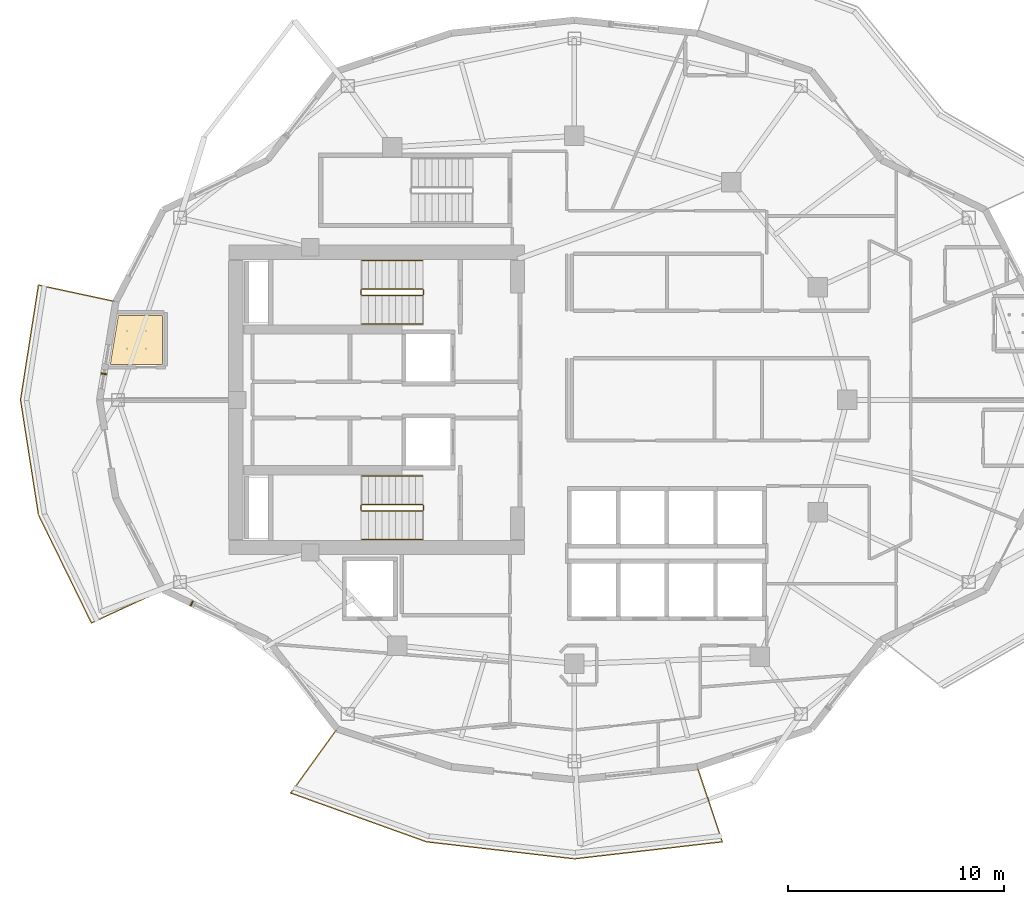
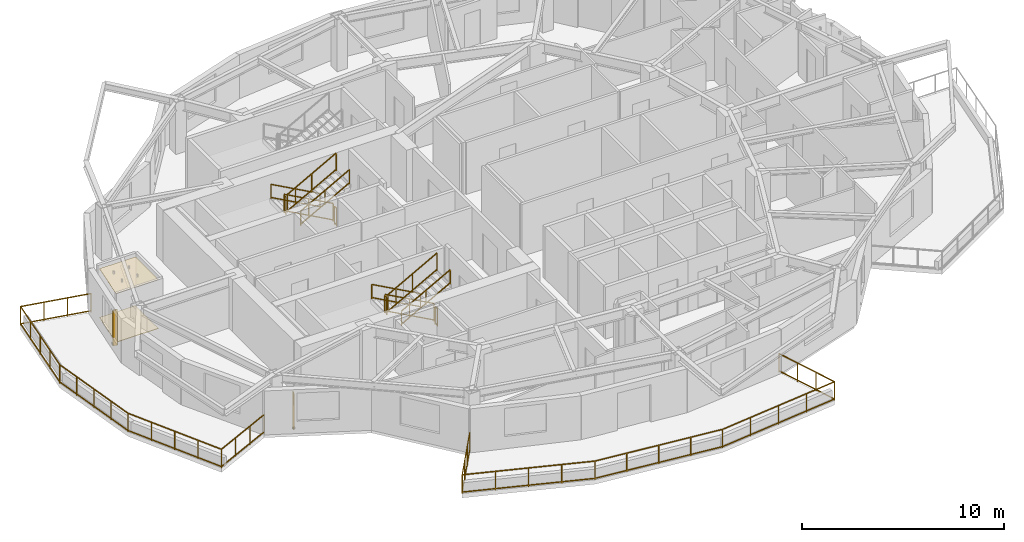
# One storey, part 11 of 13: 14 railings, 2 coverings, 2 shading devices.
"""IFC4 building model written with IfcOpenShell, lengths in metres."""

from ifc_helpers import new_model, si_unit, direction, frame, origin, origin_2d, place, context, subcontext, project, spatial, polyline, rectangle, outline, extrude, material, layer, layer_set, type_object, element, save


model = new_model("IFC4")

# Units and contexts
model_context = context("Model", 3, precision=1e-05, world=origin(), true_north=direction((0.0, 1.0)))
body_context = subcontext(model_context, "Body", "Model", "MODEL_VIEW")
ifc_project = project(units=[si_unit("LENGTHUNIT", "METRE"), si_unit("AREAUNIT", "SQUARE_METRE"), si_unit("VOLUMEUNIT", "CUBIC_METRE"), si_unit("PLANEANGLEUNIT", "RADIAN"), si_unit("MASSUNIT", "GRAM", prefix="KILO")], contexts=[model_context])

# Site, building, storey
site_placement = place(None, origin())
site = spatial("IfcSite", under=ifc_project, at=site_placement, CompositionType="ELEMENT")
building_placement = place(site_placement, origin())
building = spatial("IfcBuilding", under=site, at=building_placement, Name="Kolvaren Gate Tower and Convention Centre", CompositionType="ELEMENT")
storey_placement = place(building_placement, frame((0.0, 0.0, 166.5)))
storey = spatial("IfcBuildingStorey", under=building, at=storey_placement, Name="L43", CompositionType="ELEMENT", Elevation=166.5)

# Coverings
ifc_material_1 = material(Name="Perforated Mineral-Fibre Acoustic Ceiling Tile 18 mm", Category="gypsum")
ifc_layer_1 = layer(ifc_material_1, 0.01806640625)
ifc_layer_set_1 = layer_set([ifc_layer_1], Name="Perforated Mineral-Fibre Acoustic Ceiling Tile 18 mm")
covering_type_1 = type_object("IfcCoveringType", Name="ARCH-COV-CEIL-18", PredefinedType="CEILING", material=ifc_layer_set_1)
covering_1_placement = place(storey_placement, frame((0.0, 0.0, 2.949951171875)))
element("IfcCovering", 1, at=covering_1_placement, inside=storey, type_object=covering_type_1, Name="En-suite Bathroom (HTL-L43-14) Acoustic Suspended Ceiling", PredefinedType="CEILING", context=body_context, shape_type="SweptSolid", body=[
    extrude(outline(polyline([(11.09912109375, 30.909912109375), (11.09912109375, 28.639892578125), (8.679931640625, 28.639892578125), (9.053955078125, 30.909912109375), (11.09912109375, 30.909912109375)])), origin(), (0.0, 0.0, 1.0), 0.01806640625),
])
ifc_material_2 = material(Name="Honed Sabana Limestone Terrazzo Flooring 30 mm", Category="masonry")
ifc_layer_2 = layer(ifc_material_2, 0.030029296875)
ifc_layer_set_2 = layer_set([ifc_layer_2], Name="Honed Sabana Limestone Terrazzo Flooring 30 mm")
covering_type_2 = type_object("IfcCoveringType", Name="ARCH-COV-FLR-30", PredefinedType="FLOORING", material=ifc_layer_set_2)
covering_2_placement = place(storey_placement, origin())
element("IfcCovering", 2, at=covering_2_placement, inside=storey, type_object=covering_type_2, Name="En-suite Bathroom (HTL-L43-14) Interior Finish Flooring", PredefinedType="FLOORING", context=body_context, shape_type="SweptSolid", body=[
    extrude(outline(polyline([(11.09912109375, 30.909912109375), (11.09912109375, 28.639892578125), (8.679931640625, 28.639892578125), (9.053955078125, 30.909912109375), (11.09912109375, 30.909912109375)])), origin(), (0.0, 0.0, 1.0), 0.030029296875),
])

# Railings
ifc_material_3 = material(Name="Brushed Stainless Steel Grade 316L", Category="steel")
railing_type_1 = type_object("IfcRailingType", Name="ARCH-RL-GUARD-1150", PredefinedType="GUARDRAIL", material=ifc_material_3)
railing_1_placement = place(storey_placement, frame((23.10009765625, 32.1298828125, 0.169921875)))
element("IfcRailing", 3, at=railing_1_placement, inside=storey, type_object=railing_type_1, Name="L43 ST-T1 stair guard 1", PredefinedType="GUARDRAIL", context=body_context, shape_type="SweptSolid", body=[
    extrude(rectangle(XDim=0.048095703125, YDim=0.048095703125, at=origin_2d()), frame((0.0, 0.0, 1.076171875), z_axis=(-0.876811365212, 0.0, 0.480834513982), x_axis=(0.0, -1.0, 0.0)), (0.0, 0.0, 1.0), 3.18212890625),
    extrude(rectangle(XDim=0.048095703125, YDim=0.048095703125, at=origin_2d()), frame((0.0, 0.0, 0.083984375), z_axis=(-0.876811365212, 0.0, 0.480834513982), x_axis=(0.0, -1.0, 0.0)), (0.0, 0.0, 1.0), 3.18212890625),
    extrude(rectangle(XDim=0.0419921875, YDim=0.0419921875, at=origin_2d()), origin(), (0.0, 0.0, 1.0), 1.050048828125),
    extrude(rectangle(XDim=0.0419921875, YDim=0.0419921875, at=origin_2d()), frame((-2.7900390625, 0.0, 1.530029296875)), (0.0, 0.0, 1.0), 1.050048828125),
    extrude(rectangle(XDim=0.0419921875, YDim=0.0419921875, at=origin_2d()), frame((-1.39501953125, 0.0, 0.76513671875)), (0.0, 0.0, 1.0), 1.050048828125),
])
railing_2_placement = place(storey_placement, frame((20.260009765625, 32.080078125, 1.699951171875)))
element("IfcRailing", 4, at=railing_2_placement, inside=storey, type_object=railing_type_1, Name="L43 ST-T1 stair guard 2", PredefinedType="GUARDRAIL", context=body_context, shape_type="SweptSolid", body=[
    extrude(rectangle(XDim=0.048095703125, YDim=0.048095703125, at=origin_2d()), frame((0.0, 0.0, 1.076171875), z_axis=(0.0, -1.0, 0.0), x_axis=(1.0, 0.0, 0.0)), (0.0, 0.0, 1.0), 0.2001953125),
    extrude(rectangle(XDim=0.048095703125, YDim=0.048095703125, at=origin_2d()), frame((0.0, 0.0, 0.083984375), z_axis=(0.0, -1.0, 0.0), x_axis=(1.0, 0.0, 0.0)), (0.0, 0.0, 1.0), 0.2001953125),
    extrude(rectangle(XDim=0.0419921875, YDim=0.0419921875, at=origin_2d()), origin(), (0.0, 0.0, 1.0), 1.050048828125),
    extrude(rectangle(XDim=0.0419921875, YDim=0.0419921875, at=origin_2d()), frame((0.0, -0.2001953125, 0.0)), (0.0, 0.0, 1.0), 1.050048828125),
])
railing_3_placement = place(storey_placement, frame((20.31005859375, 31.830078125, 1.8701171875)))
element("IfcRailing", 5, at=railing_3_placement, inside=storey, type_object=railing_type_1, Name="L43 ST-T1 stair guard 3", PredefinedType="GUARDRAIL", context=body_context, shape_type="SweptSolid", body=[
    extrude(rectangle(XDim=0.048095703125, YDim=0.048095703125, at=origin_2d()), frame((0.0, 0.0, 1.076171875), z_axis=(0.876843711699, 0.0, 0.480775524808), x_axis=(0.0, 1.0, 0.0)), (0.0, 0.0, 1.0), 3.181884765625),
    extrude(rectangle(XDim=0.048095703125, YDim=0.048095703125, at=origin_2d()), frame((0.0, 0.0, 0.083984375), z_axis=(0.876843711699, 0.0, 0.480775524808), x_axis=(0.0, 1.0, 0.0)), (0.0, 0.0, 1.0), 3.181884765625),
    extrude(rectangle(XDim=0.0419921875, YDim=0.0419921875, at=origin_2d()), origin(), (0.0, 0.0, 1.0), 1.050048828125),
    extrude(rectangle(XDim=0.0419921875, YDim=0.0419921875, at=origin_2d()), frame((2.7900390625, 0.0, 1.52978515625)), (0.0, 0.0, 1.0), 1.050048828125),
    extrude(rectangle(XDim=0.0419921875, YDim=0.0419921875, at=origin_2d()), frame((1.39501953125, 0.0, 0.764892578125)), (0.0, 0.0, 1.0), 1.050048828125),
])
railing_4_placement = place(storey_placement, frame((23.14990234375, 32.080078125, 0.0)))
element("IfcRailing", 6, at=railing_4_placement, inside=storey, type_object=railing_type_1, Name="L43 ST-T1 stair guard 4", PredefinedType="GUARDRAIL", context=body_context, shape_type="SweptSolid", body=[
    extrude(rectangle(XDim=0.048095703125, YDim=0.048095703125, at=origin_2d()), frame((0.0, 0.0, 1.076171875), z_axis=(0.0, -1.0, 0.0), x_axis=(1.0, 0.0, 0.0)), (0.0, 0.0, 1.0), 0.2001953125),
    extrude(rectangle(XDim=0.048095703125, YDim=0.048095703125, at=origin_2d()), frame((0.0, 0.0, 0.083984375), z_axis=(0.0, -1.0, 0.0), x_axis=(1.0, 0.0, 0.0)), (0.0, 0.0, 1.0), 0.2001953125),
    extrude(rectangle(XDim=0.0419921875, YDim=0.0419921875, at=origin_2d()), origin(), (0.0, 0.0, 1.0), 1.050048828125),
    extrude(rectangle(XDim=0.0419921875, YDim=0.0419921875, at=origin_2d()), frame((0.0, -0.2001953125, 0.0)), (0.0, 0.0, 1.0), 1.050048828125),
])
railing_5_placement = place(storey_placement, frame((23.10009765625, 22.169921875, 0.169921875)))
element("IfcRailing", 7, at=railing_5_placement, inside=storey, type_object=railing_type_1, Name="L43 ST-T2 stair guard 1", PredefinedType="GUARDRAIL", context=body_context, shape_type="SweptSolid", body=[
    extrude(rectangle(XDim=0.048095703125, YDim=0.048095703125, at=origin_2d()), frame((0.0, 0.0, 1.076171875), z_axis=(-0.876811365212, 0.0, 0.480834513982), x_axis=(0.0, -1.0, 0.0)), (0.0, 0.0, 1.0), 3.18212890625),
    extrude(rectangle(XDim=0.048095703125, YDim=0.048095703125, at=origin_2d()), frame((0.0, 0.0, 0.083984375), z_axis=(-0.876811365212, 0.0, 0.480834513982), x_axis=(0.0, -1.0, 0.0)), (0.0, 0.0, 1.0), 3.18212890625),
    extrude(rectangle(XDim=0.0419921875, YDim=0.0419921875, at=origin_2d()), origin(), (0.0, 0.0, 1.0), 1.050048828125),
    extrude(rectangle(XDim=0.0419921875, YDim=0.0419921875, at=origin_2d()), frame((-2.7900390625, 0.0, 1.530029296875)), (0.0, 0.0, 1.0), 1.050048828125),
    extrude(rectangle(XDim=0.0419921875, YDim=0.0419921875, at=origin_2d()), frame((-1.39501953125, 0.0, 0.76513671875)), (0.0, 0.0, 1.0), 1.050048828125),
])
railing_6_placement = place(storey_placement, frame((20.260009765625, 22.1201171875, 1.699951171875)))
element("IfcRailing", 8, at=railing_6_placement, inside=storey, type_object=railing_type_1, Name="L43 ST-T2 stair guard 2", PredefinedType="GUARDRAIL", context=body_context, shape_type="SweptSolid", body=[
    extrude(rectangle(XDim=0.048095703125, YDim=0.048095703125, at=origin_2d()), frame((0.0, 0.0, 1.076171875), z_axis=(0.0, -1.0, 0.0), x_axis=(1.0, 0.0, 0.0)), (0.0, 0.0, 1.0), 0.2001953125),
    extrude(rectangle(XDim=0.048095703125, YDim=0.048095703125, at=origin_2d()), frame((0.0, 0.0, 0.083984375), z_axis=(0.0, -1.0, 0.0), x_axis=(1.0, 0.0, 0.0)), (0.0, 0.0, 1.0), 0.2001953125),
    extrude(rectangle(XDim=0.0419921875, YDim=0.0419921875, at=origin_2d()), origin(), (0.0, 0.0, 1.0), 1.050048828125),
    extrude(rectangle(XDim=0.0419921875, YDim=0.0419921875, at=origin_2d()), frame((0.0, -0.2001953125, 0.0)), (0.0, 0.0, 1.0), 1.050048828125),
])
railing_7_placement = place(storey_placement, frame((20.31005859375, 21.8701171875, 1.8701171875)))
element("IfcRailing", 9, at=railing_7_placement, inside=storey, type_object=railing_type_1, Name="L43 ST-T2 stair guard 3", PredefinedType="GUARDRAIL", context=body_context, shape_type="SweptSolid", body=[
    extrude(rectangle(XDim=0.048095703125, YDim=0.048095703125, at=origin_2d()), frame((0.0, 0.0, 1.076171875), z_axis=(0.876843711699, 0.0, 0.480775524808), x_axis=(0.0, 1.0, 0.0)), (0.0, 0.0, 1.0), 3.181884765625),
    extrude(rectangle(XDim=0.048095703125, YDim=0.048095703125, at=origin_2d()), frame((0.0, 0.0, 0.083984375), z_axis=(0.876843711699, 0.0, 0.480775524808), x_axis=(0.0, 1.0, 0.0)), (0.0, 0.0, 1.0), 3.181884765625),
    extrude(rectangle(XDim=0.0419921875, YDim=0.0419921875, at=origin_2d()), origin(), (0.0, 0.0, 1.0), 1.050048828125),
    extrude(rectangle(XDim=0.0419921875, YDim=0.0419921875, at=origin_2d()), frame((2.7900390625, 0.0, 1.52978515625)), (0.0, 0.0, 1.0), 1.050048828125),
    extrude(rectangle(XDim=0.0419921875, YDim=0.0419921875, at=origin_2d()), frame((1.39501953125, 0.0, 0.764892578125)), (0.0, 0.0, 1.0), 1.050048828125),
])
railing_8_placement = place(storey_placement, frame((23.14990234375, 22.1201171875, 0.0)))
element("IfcRailing", 10, at=railing_8_placement, inside=storey, type_object=railing_type_1, Name="L43 ST-T2 stair guard 4", PredefinedType="GUARDRAIL", context=body_context, shape_type="SweptSolid", body=[
    extrude(rectangle(XDim=0.048095703125, YDim=0.048095703125, at=origin_2d()), frame((0.0, 0.0, 1.076171875), z_axis=(0.0, -1.0, 0.0), x_axis=(1.0, 0.0, 0.0)), (0.0, 0.0, 1.0), 0.2001953125),
    extrude(rectangle(XDim=0.048095703125, YDim=0.048095703125, at=origin_2d()), frame((0.0, 0.0, 0.083984375), z_axis=(0.0, -1.0, 0.0), x_axis=(1.0, 0.0, 0.0)), (0.0, 0.0, 1.0), 0.2001953125),
    extrude(rectangle(XDim=0.0419921875, YDim=0.0419921875, at=origin_2d()), origin(), (0.0, 0.0, 1.0), 1.050048828125),
    extrude(rectangle(XDim=0.0419921875, YDim=0.0419921875, at=origin_2d()), frame((0.0, -0.2001953125, 0.0)), (0.0, 0.0, 1.0), 1.050048828125),
])
railing_9_placement = place(storey_placement, frame((8.93505859375, 31.542236328125, 0.0)))
element("IfcRailing", 11, at=railing_9_placement, inside=storey, type_object=railing_type_1, Name="Tower L43 Terrace Perimeter Guardrail GR-2", PredefinedType="GUARDRAIL", context=body_context, shape_type="SweptSolid", body=[
    extrude(rectangle(XDim=0.048095703125, YDim=0.048095703125, at=origin_2d()), frame((-0.02734375, 0.005859375, 1.1259765625), z_axis=(-0.977791675321, 0.209579196661, 0.0), x_axis=(-0.209579196661, -0.977791675321, 0.0)), (0.0, 0.0, 1.0), 3.60400390625),
    extrude(rectangle(XDim=0.048095703125, YDim=0.048095703125, at=origin_2d()), frame((-0.02734375, 0.005859375, 0.083984375), z_axis=(-0.977791675321, 0.209579196661, 0.0), x_axis=(-0.209579196661, -0.977791675321, 0.0)), (0.0, 0.0, 1.0), 3.60400390625),
    extrude(rectangle(XDim=0.048095703125, YDim=0.048095703125, at=origin_2d()), frame((-3.583251953125, 0.7392578125, 1.1259765625), z_axis=(-0.154200861408, -0.988039520637, 0.0), x_axis=(0.988039520637, -0.154200861408, 0.0)), (0.0, 0.0, 1.0), 5.3173828125),
    extrude(rectangle(XDim=0.048095703125, YDim=0.048095703125, at=origin_2d()), frame((-3.583251953125, 0.7392578125, 0.083984375), z_axis=(-0.154200861408, -0.988039520637, 0.0), x_axis=(0.988039520637, -0.154200861408, 0.0)), (0.0, 0.0, 1.0), 5.3173828125),
    extrude(rectangle(XDim=0.048095703125, YDim=0.048095703125, at=origin_2d()), frame((-4.403076171875, -4.570068359375, 1.1259765625), z_axis=(0.154200861408, -0.988039520637, 0.0), x_axis=(0.988039520637, 0.154200861408, 0.0)), (0.0, 0.0, 1.0), 5.3173828125),
    extrude(rectangle(XDim=0.048095703125, YDim=0.048095703125, at=origin_2d()), frame((-4.403076171875, -4.570068359375, 0.083984375), z_axis=(0.154200861408, -0.988039520637, 0.0), x_axis=(0.988039520637, 0.154200861408, 0.0)), (0.0, 0.0, 1.0), 5.3173828125),
    extrude(rectangle(XDim=0.048095703125, YDim=0.048095703125, at=origin_2d()), frame((-3.56640625, -9.876708984375, 1.1259765625), z_axis=(0.439655234701, -0.898166618507, 0.0), x_axis=(0.898166618507, 0.439655234701, 0.0)), (0.0, 0.0, 1.0), 5.51123046875),
    extrude(rectangle(XDim=0.048095703125, YDim=0.048095703125, at=origin_2d()), frame((-3.56640625, -9.876708984375, 0.083984375), z_axis=(0.439655234701, -0.898166618507, 0.0), x_axis=(0.898166618507, 0.439655234701, 0.0)), (0.0, 0.0, 1.0), 5.51123046875),
    extrude(rectangle(XDim=0.048095703125, YDim=0.048095703125, at=origin_2d()), frame((-1.105712890625, -14.84033203125, 1.1259765625), z_axis=(0.907820723829, 0.419358478377, 0.0), x_axis=(-0.419358478377, 0.907820723829, 0.0)), (0.0, 0.0, 1.0), 3.60400390625),
    extrude(rectangle(XDim=0.048095703125, YDim=0.048095703125, at=origin_2d()), frame((-1.105712890625, -14.84033203125, 0.083984375), z_axis=(0.907820723829, 0.419358478377, 0.0), x_axis=(-0.419358478377, 0.907820723829, 0.0)), (0.0, 0.0, 1.0), 3.60400390625),
    extrude(rectangle(XDim=0.0419921875, YDim=0.0419921875, at=origin_2d()), origin(), (0.0, 0.0, 1.0), 1.14990234375),
    extrude(rectangle(XDim=0.0419921875, YDim=0.0419921875, at=origin_2d()), frame((-3.578857421875, 0.76708984375, 0.0)), (0.0, 0.0, 1.0), 1.14990234375),
    extrude(rectangle(XDim=0.0419921875, YDim=0.0419921875, at=origin_2d()), frame((-1.19287109375, 0.255615234375, 0.0)), (0.0, 0.0, 1.0), 1.099853515625),
    extrude(rectangle(XDim=0.0419921875, YDim=0.0419921875, at=origin_2d()), frame((-2.385986328125, 0.511474609375, 0.0)), (0.0, 0.0, 1.0), 1.099853515625),
    extrude(rectangle(XDim=0.0419921875, YDim=0.0419921875, at=origin_2d()), frame((-4.407470703125, -4.542236328125, 0.0)), (0.0, 0.0, 1.0), 1.14990234375),
    extrude(rectangle(XDim=0.0419921875, YDim=0.0419921875, at=origin_2d()), frame((-3.7861328125, -0.560302734375, 0.0)), (0.0, 0.0, 1.0), 1.099853515625),
    extrude(rectangle(XDim=0.0419921875, YDim=0.0419921875, at=origin_2d()), frame((-3.9931640625, -1.8876953125, 0.0)), (0.0, 0.0, 1.0), 1.099853515625),
    extrude(rectangle(XDim=0.0419921875, YDim=0.0419921875, at=origin_2d()), frame((-4.2001953125, -3.21484375, 0.0)), (0.0, 0.0, 1.0), 1.099853515625),
    extrude(rectangle(XDim=0.0419921875, YDim=0.0419921875, at=origin_2d()), frame((-3.578857421875, -9.8515625, 0.0)), (0.0, 0.0, 1.0), 1.14990234375),
    extrude(rectangle(XDim=0.0419921875, YDim=0.0419921875, at=origin_2d()), frame((-4.2001953125, -5.86962890625, 0.0)), (0.0, 0.0, 1.0), 1.099853515625),
    extrude(rectangle(XDim=0.0419921875, YDim=0.0419921875, at=origin_2d()), frame((-3.9931640625, -7.19677734375, 0.0)), (0.0, 0.0, 1.0), 1.099853515625),
    extrude(rectangle(XDim=0.0419921875, YDim=0.0419921875, at=origin_2d()), frame((-3.7861328125, -8.524169921875, 0.0)), (0.0, 0.0, 1.0), 1.099853515625),
    extrude(rectangle(XDim=0.0419921875, YDim=0.0419921875, at=origin_2d()), frame((-1.131103515625, -14.85205078125, 0.0)), (0.0, 0.0, 1.0), 1.14990234375),
    extrude(rectangle(XDim=0.0419921875, YDim=0.0419921875, at=origin_2d()), frame((-2.966796875, -11.1015625, 0.0)), (0.0, 0.0, 1.0), 1.099853515625),
    extrude(rectangle(XDim=0.0419921875, YDim=0.0419921875, at=origin_2d()), frame((-2.35498046875, -12.351806640625, 0.0)), (0.0, 0.0, 1.0), 1.099853515625),
    extrude(rectangle(XDim=0.0419921875, YDim=0.0419921875, at=origin_2d()), frame((-1.7431640625, -13.60205078125, 0.0)), (0.0, 0.0, 1.0), 1.099853515625),
    extrude(rectangle(XDim=0.0419921875, YDim=0.0419921875, at=origin_2d()), frame((2.191650390625, -13.317138671875, 0.0)), (0.0, 0.0, 1.0), 1.14990234375),
    extrude(rectangle(XDim=0.0419921875, YDim=0.0419921875, at=origin_2d()), frame((-0.0234375, -14.34033203125, 0.0)), (0.0, 0.0, 1.0), 1.099853515625),
    extrude(rectangle(XDim=0.0419921875, YDim=0.0419921875, at=origin_2d()), frame((1.083984375, -13.828857421875, 0.0)), (0.0, 0.0, 1.0), 1.099853515625),
])
railing_10_placement = place(storey_placement, frame((19.15625, 11.80126953125, 0.0)))
element("IfcRailing", 12, at=railing_10_placement, inside=storey, type_object=railing_type_1, Name="Tower L43 Terrace Perimeter Guardrail GR-3", PredefinedType="GUARDRAIL", context=body_context, shape_type="SweptSolid", body=[
    extrude(rectangle(XDim=0.048095703125, YDim=0.048095703125, at=origin_2d()), frame((-0.016357421875, -0.022705078125, 1.1259765625), z_axis=(-0.585212870465, -0.810879705161, 0.0), x_axis=(0.810879705161, -0.585212870465, 0.0)), (0.0, 0.0, 1.0), 3.603759765625),
    extrude(rectangle(XDim=0.048095703125, YDim=0.048095703125, at=origin_2d()), frame((-0.016357421875, -0.022705078125, 0.083984375), z_axis=(-0.585212870465, -0.810879705161, 0.0), x_axis=(0.810879705161, -0.585212870465, 0.0)), (0.0, 0.0, 1.0), 3.603759765625),
    extrude(rectangle(XDim=0.048095703125, YDim=0.048095703125, at=origin_2d()), frame((-2.115478515625, -2.977294921875, 1.1259765625), z_axis=(0.940948576924, -0.338549517184, 0.0), x_axis=(0.338549517184, 0.940948576924, 0.0)), (0.0, 0.0, 1.0), 6.60791015625),
    extrude(rectangle(XDim=0.048095703125, YDim=0.048095703125, at=origin_2d()), frame((-2.115478515625, -2.977294921875, 0.083984375), z_axis=(0.940948576924, -0.338549517184, 0.0), x_axis=(0.338549517184, 0.940948576924, 0.0)), (0.0, 0.0, 1.0), 6.60791015625),
    extrude(rectangle(XDim=0.048095703125, YDim=0.048095703125, at=origin_2d()), frame((4.156494140625, -5.22705078125, 1.1259765625), z_axis=(0.993440112849, -0.114353584036, 0.0), x_axis=(0.114353584036, 0.993440112849, 0.0)), (0.0, 0.0, 1.0), 6.8291015625),
    extrude(rectangle(XDim=0.048095703125, YDim=0.048095703125, at=origin_2d()), frame((4.156494140625, -5.22705078125, 0.083984375), z_axis=(0.993440112849, -0.114353584036, 0.0), x_axis=(0.114353584036, 0.993440112849, 0.0)), (0.0, 0.0, 1.0), 6.8291015625),
    extrude(rectangle(XDim=0.048095703125, YDim=0.048095703125, at=origin_2d()), frame((10.99658203125, -6.008056640625, 1.1259765625), z_axis=(0.993440112849, 0.114353584036, 0.0), x_axis=(-0.114353584036, 0.993440112849, 0.0)), (0.0, 0.0, 1.0), 6.8291015625),
    extrude(rectangle(XDim=0.048095703125, YDim=0.048095703125, at=origin_2d()), frame((10.99658203125, -6.008056640625, 0.083984375), z_axis=(0.993440112849, 0.114353584036, 0.0), x_axis=(-0.114353584036, 0.993440112849, 0.0)), (0.0, 0.0, 1.0), 6.8291015625),
    extrude(rectangle(XDim=0.048095703125, YDim=0.048095703125, at=origin_2d()), frame((17.800048828125, -5.197265625, 1.1259765625), z_axis=(-0.317568160167, 0.94823544737, 0.0), x_axis=(-0.94823544737, -0.317568160167, 0.0)), (0.0, 0.0, 1.0), 3.60400390625),
    extrude(rectangle(XDim=0.048095703125, YDim=0.048095703125, at=origin_2d()), frame((17.800048828125, -5.197265625, 0.083984375), z_axis=(-0.317568160167, 0.94823544737, 0.0), x_axis=(-0.94823544737, -0.317568160167, 0.0)), (0.0, 0.0, 1.0), 3.60400390625),
    extrude(rectangle(XDim=0.0419921875, YDim=0.0419921875, at=origin_2d()), origin(), (0.0, 0.0, 1.0), 1.14990234375),
    extrude(rectangle(XDim=0.0419921875, YDim=0.0419921875, at=origin_2d()), frame((-2.141845703125, -2.9677734375, 0.0)), (0.0, 0.0, 1.0), 1.14990234375),
    extrude(rectangle(XDim=0.0419921875, YDim=0.0419921875, at=origin_2d()), frame((-0.7138671875, -0.9892578125, 0.0)), (0.0, 0.0, 1.0), 1.099853515625),
    extrude(rectangle(XDim=0.0419921875, YDim=0.0419921875, at=origin_2d()), frame((-1.427978515625, -1.978515625, 0.0)), (0.0, 0.0, 1.0), 1.099853515625),
    extrude(rectangle(XDim=0.0419921875, YDim=0.0419921875, at=origin_2d()), frame((4.128662109375, -5.223876953125, 0.0)), (0.0, 0.0, 1.0), 1.14990234375),
    extrude(rectangle(XDim=0.0419921875, YDim=0.0419921875, at=origin_2d()), frame((-0.57421875, -3.53173828125, 0.0)), (0.0, 0.0, 1.0), 1.099853515625),
    extrude(rectangle(XDim=0.0419921875, YDim=0.0419921875, at=origin_2d()), frame((0.993408203125, -4.095703125, 0.0)), (0.0, 0.0, 1.0), 1.099853515625),
    extrude(rectangle(XDim=0.0419921875, YDim=0.0419921875, at=origin_2d()), frame((2.56103515625, -4.659912109375, 0.0)), (0.0, 0.0, 1.0), 1.099853515625),
    extrude(rectangle(XDim=0.0419921875, YDim=0.0419921875, at=origin_2d()), frame((10.96875, -6.01123046875, 0.0)), (0.0, 0.0, 1.0), 1.14990234375),
    extrude(rectangle(XDim=0.0419921875, YDim=0.0419921875, at=origin_2d()), frame((5.838623046875, -5.420654296875, 0.0)), (0.0, 0.0, 1.0), 1.099853515625),
    extrude(rectangle(XDim=0.0419921875, YDim=0.0419921875, at=origin_2d()), frame((7.548828125, -5.61767578125, 0.0)), (0.0, 0.0, 1.0), 1.099853515625),
    extrude(rectangle(XDim=0.0419921875, YDim=0.0419921875, at=origin_2d()), frame((9.2587890625, -5.814453125, 0.0)), (0.0, 0.0, 1.0), 1.099853515625),
    extrude(rectangle(XDim=0.0419921875, YDim=0.0419921875, at=origin_2d()), frame((17.808837890625, -5.223876953125, 0.0)), (0.0, 0.0, 1.0), 1.14990234375),
    extrude(rectangle(XDim=0.0419921875, YDim=0.0419921875, at=origin_2d()), frame((12.6787109375, -5.814453125, 0.0)), (0.0, 0.0, 1.0), 1.099853515625),
    extrude(rectangle(XDim=0.0419921875, YDim=0.0419921875, at=origin_2d()), frame((14.388671875, -5.61767578125, 0.0)), (0.0, 0.0, 1.0), 1.099853515625),
    extrude(rectangle(XDim=0.0419921875, YDim=0.0419921875, at=origin_2d()), frame((16.098876953125, -5.420654296875, 0.0)), (0.0, 0.0, 1.0), 1.099853515625),
    extrude(rectangle(XDim=0.0419921875, YDim=0.0419921875, at=origin_2d()), frame((16.646484375, -1.753173828125, 0.0)), (0.0, 0.0, 1.0), 1.14990234375),
    extrude(rectangle(XDim=0.0419921875, YDim=0.0419921875, at=origin_2d()), frame((17.42138671875, -4.06689453125, 0.0)), (0.0, 0.0, 1.0), 1.099853515625),
    extrude(rectangle(XDim=0.0419921875, YDim=0.0419921875, at=origin_2d()), frame((17.033935546875, -2.91015625, 0.0)), (0.0, 0.0, 1.0), 1.099853515625),
])
railing_type_2 = type_object("IfcRailingType", Name="ARCH-RL-HANDRAIL-920", PredefinedType="HANDRAIL", material=ifc_material_3)
railing_11_placement = place(storey_placement, frame((23.10009765625, 33.449951171875, 0.169921875)))
element("IfcRailing", 13, at=railing_11_placement, inside=storey, type_object=railing_type_2, Name="L43 ST-T1 stair handrail 1", PredefinedType="HANDRAIL", context=body_context, shape_type="SweptSolid", body=[
    extrude(rectangle(XDim=0.048095703125, YDim=0.048095703125, at=origin_2d()), frame((0.0, 0.0, 0.8759765625), z_axis=(-0.876811365212, 0.0, 0.480834513982), x_axis=(0.0, -1.0, 0.0)), (0.0, 0.0, 1.0), 3.18212890625),
    extrude(rectangle(XDim=0.048095703125, YDim=0.048095703125, at=origin_2d()), frame((0.0, 0.0, 0.083984375), z_axis=(-0.876811365212, 0.0, 0.480834513982), x_axis=(0.0, -1.0, 0.0)), (0.0, 0.0, 1.0), 3.18212890625),
    extrude(rectangle(XDim=0.0419921875, YDim=0.0419921875, at=origin_2d()), origin(), (0.0, 0.0, 1.0), 0.849853515625),
    extrude(rectangle(XDim=0.0419921875, YDim=0.0419921875, at=origin_2d()), frame((-2.7900390625, 0.0, 1.530029296875)), (0.0, 0.0, 1.0), 0.849853515625),
    extrude(rectangle(XDim=0.0419921875, YDim=0.0419921875, at=origin_2d()), frame((-1.39501953125, 0.0, 0.76513671875)), (0.0, 0.0, 1.0), 0.849853515625),
])
railing_12_placement = place(storey_placement, frame((20.31005859375, 30.510009765625, 1.8701171875)))
element("IfcRailing", 14, at=railing_12_placement, inside=storey, type_object=railing_type_2, Name="L43 ST-T1 stair handrail 2", PredefinedType="HANDRAIL", context=body_context, shape_type="SweptSolid", body=[
    extrude(rectangle(XDim=0.048095703125, YDim=0.048095703125, at=origin_2d()), frame((0.0, 0.0, 0.8759765625), z_axis=(0.876843711699, 0.0, 0.480775524808), x_axis=(0.0, 1.0, 0.0)), (0.0, 0.0, 1.0), 3.181884765625),
    extrude(rectangle(XDim=0.048095703125, YDim=0.048095703125, at=origin_2d()), frame((0.0, 0.0, 0.083984375), z_axis=(0.876843711699, 0.0, 0.480775524808), x_axis=(0.0, 1.0, 0.0)), (0.0, 0.0, 1.0), 3.181884765625),
    extrude(rectangle(XDim=0.0419921875, YDim=0.0419921875, at=origin_2d()), origin(), (0.0, 0.0, 1.0), 0.849853515625),
    extrude(rectangle(XDim=0.0419921875, YDim=0.0419921875, at=origin_2d()), frame((2.7900390625, 0.0, 1.52978515625)), (0.0, 0.0, 1.0), 0.849853515625),
    extrude(rectangle(XDim=0.0419921875, YDim=0.0419921875, at=origin_2d()), frame((1.39501953125, 0.0, 0.764892578125)), (0.0, 0.0, 1.0), 0.849853515625),
])
railing_13_placement = place(storey_placement, frame((23.10009765625, 23.489990234375, 0.169921875)))
element("IfcRailing", 15, at=railing_13_placement, inside=storey, type_object=railing_type_2, Name="L43 ST-T2 stair handrail 1", PredefinedType="HANDRAIL", context=body_context, shape_type="SweptSolid", body=[
    extrude(rectangle(XDim=0.048095703125, YDim=0.048095703125, at=origin_2d()), frame((0.0, 0.0, 0.8759765625), z_axis=(-0.876811365212, 0.0, 0.480834513982), x_axis=(0.0, -1.0, 0.0)), (0.0, 0.0, 1.0), 3.18212890625),
    extrude(rectangle(XDim=0.048095703125, YDim=0.048095703125, at=origin_2d()), frame((0.0, 0.0, 0.083984375), z_axis=(-0.876811365212, 0.0, 0.480834513982), x_axis=(0.0, -1.0, 0.0)), (0.0, 0.0, 1.0), 3.18212890625),
    extrude(rectangle(XDim=0.0419921875, YDim=0.0419921875, at=origin_2d()), origin(), (0.0, 0.0, 1.0), 0.849853515625),
    extrude(rectangle(XDim=0.0419921875, YDim=0.0419921875, at=origin_2d()), frame((-2.7900390625, 0.0, 1.530029296875)), (0.0, 0.0, 1.0), 0.849853515625),
    extrude(rectangle(XDim=0.0419921875, YDim=0.0419921875, at=origin_2d()), frame((-1.39501953125, 0.0, 0.76513671875)), (0.0, 0.0, 1.0), 0.849853515625),
])
railing_14_placement = place(storey_placement, frame((20.31005859375, 20.550048828125, 1.8701171875)))
element("IfcRailing", 16, at=railing_14_placement, inside=storey, type_object=railing_type_2, Name="L43 ST-T2 stair handrail 2", PredefinedType="HANDRAIL", context=body_context, shape_type="SweptSolid", body=[
    extrude(rectangle(XDim=0.048095703125, YDim=0.048095703125, at=origin_2d()), frame((0.0, 0.0, 0.8759765625), z_axis=(0.876843711699, 0.0, 0.480775524808), x_axis=(0.0, 1.0, 0.0)), (0.0, 0.0, 1.0), 3.181884765625),
    extrude(rectangle(XDim=0.048095703125, YDim=0.048095703125, at=origin_2d()), frame((0.0, 0.0, 0.083984375), z_axis=(0.876843711699, 0.0, 0.480775524808), x_axis=(0.0, 1.0, 0.0)), (0.0, 0.0, 1.0), 3.181884765625),
    extrude(rectangle(XDim=0.0419921875, YDim=0.0419921875, at=origin_2d()), origin(), (0.0, 0.0, 1.0), 0.849853515625),
    extrude(rectangle(XDim=0.0419921875, YDim=0.0419921875, at=origin_2d()), frame((2.7900390625, 0.0, 1.52978515625)), (0.0, 0.0, 1.0), 0.849853515625),
    extrude(rectangle(XDim=0.0419921875, YDim=0.0419921875, at=origin_2d()), frame((1.39501953125, 0.0, 0.764892578125)), (0.0, 0.0, 1.0), 0.849853515625),
])

# Shading devices
ifc_material_4 = material(Name="Kiln-Fired Bogota Terracotta Ceramic Louvre Profile", Category="masonry")
shading_device_type = type_object("IfcShadingDeviceType", Name="ARCH-SHD-FIN-180", PredefinedType="JALOUSIE", material=ifc_material_4)
for number, where, z_axis, x_axis, name in (
    (17, (8.385498046875, 28.203857421875, 0.219970703125), (0.0, 0.0, 1.0), (0.162380568014, 0.986728205298, 0.0), "Ceramic Vertical Brise-Soleil Fin FN-L43-11"),
    (18, (12.44091796875, 17.593505859375, 0.219970703125), (0.0, 0.0, 1.0), (0.901358389955, -0.433073957723, 0.0), "Ceramic Vertical Brise-Soleil Fin FN-L43-14"),
):
    element("IfcShadingDevice", number, at=place(storey_placement, frame(where, z_axis=z_axis, x_axis=x_axis)), inside=storey, type_object=shading_device_type, Name=name, PredefinedType="JALOUSIE", context=body_context, shape_type="SweptSolid", body=[
        extrude(rectangle(XDim=0.06005859375, YDim=0.239990234375, at=origin_2d()), origin(), (0.0, 0.0, 1.0), 2.14990234375),
    ])

save(model, "model.ifc")
